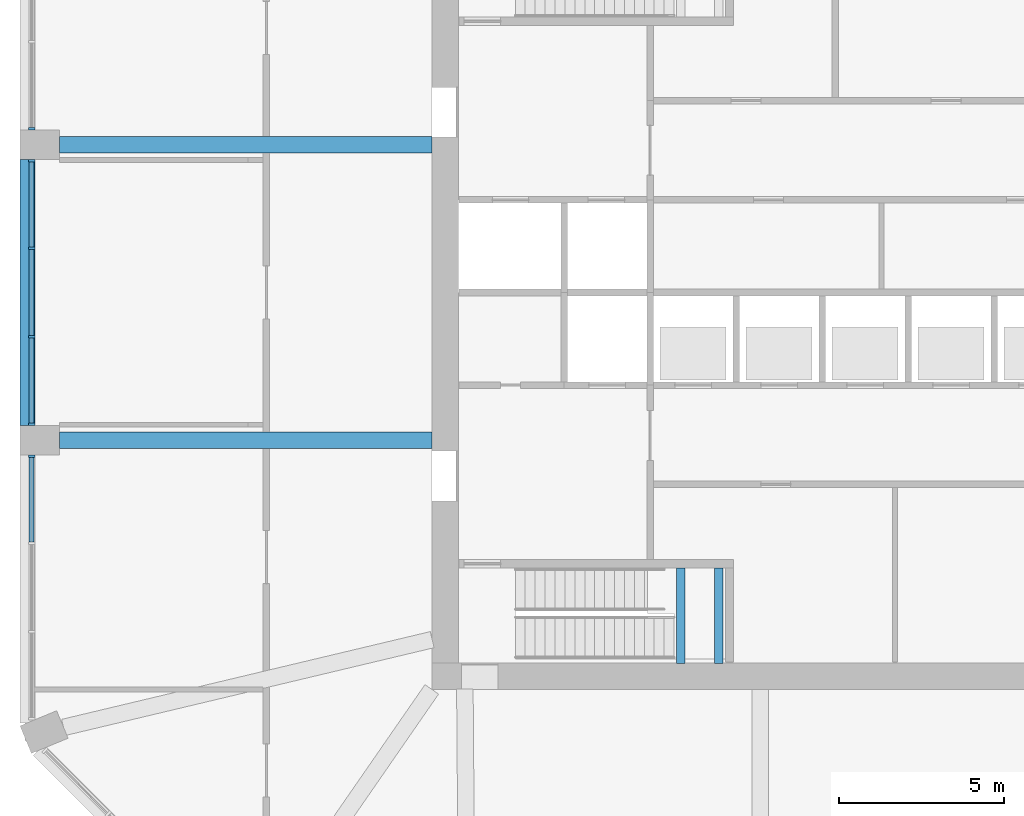
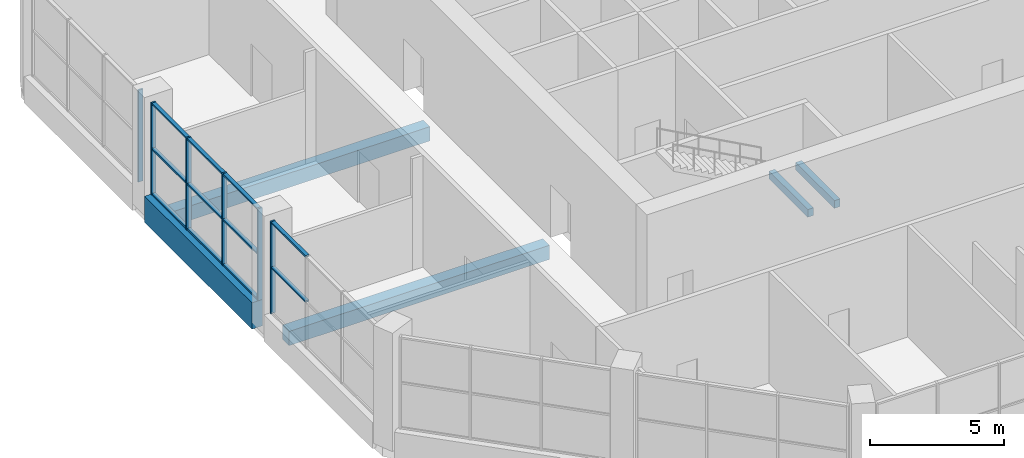
# One storey, part 3 of 16: 17 members, 5 beams, 3 elements without a shape of their own.
"""IFC4 building model written with IfcOpenShell, lengths in metres."""

from ifc_helpers import new_model, si_unit, direction, frame, origin, origin_2d, place, context, subcontext, project, spatial, rectangle, extrude, material, material_profile, profile_set, type_object, element, aggregate, save


model = new_model("IFC4")

# Units and contexts
model_context = context("Model", 3, precision=1e-05, world=origin(), true_north=direction((0.0, 1.0)))
body_context = subcontext(model_context, "Body", "Model", "MODEL_VIEW")
ifc_project = project(units=[si_unit("LENGTHUNIT", "METRE"), si_unit("AREAUNIT", "SQUARE_METRE"), si_unit("VOLUMEUNIT", "CUBIC_METRE"), si_unit("PLANEANGLEUNIT", "RADIAN"), si_unit("MASSUNIT", "GRAM", prefix="KILO")], contexts=[model_context])

# Site, building, storey
site_placement = place(None, origin())
site = spatial("IfcSite", under=ifc_project, at=site_placement, CompositionType="ELEMENT")
building_placement = place(site_placement, origin())
building = spatial("IfcBuilding", under=site, at=building_placement, Name="Msitu Wima Residences", CompositionType="ELEMENT")
storey_placement = place(building_placement, frame((0.0, 0.0, 156.89990234375)))
storey = spatial("IfcBuildingStorey", under=building, at=storey_placement, Name="L36", CompositionType="ELEMENT", Elevation=156.89990234375)

# Beams
ifc_material_1 = material(Name="Concrete C50/60", Category="concrete")
ifc_material_profile_1 = material_profile(ifc_material_1, rectangle(XDim=0.5, YDim=0.64990234375, at=origin_2d()), Name="RC 500x650")
ifc_profile_set_1 = profile_set([ifc_material_profile_1], Name="Concrete C50/60")
beam_type_1 = type_object("IfcBeamType", Name="Beam RC 500x650 Concrete C50/60", PredefinedType="BEAM", material=ifc_profile_set_1)
for number, where, z_axis, x_axis, name in (
    (1, (-25.64990234375, 4.46875, -0.724853515625), (1.0, 0.0, 0.0), (0.0, 1.0, 0.0), "Beam L36 C-W1"),
    (2, (-25.64990234375, -4.46875, -0.724853515625), (1.0, 0.0, 0.0), (0.0, 1.0, 0.0), "Beam L36 C-W2"),
):
    element("IfcBeam", number, at=place(storey_placement, frame(where, z_axis=z_axis, x_axis=x_axis)), inside=storey, type_object=beam_type_1, Name=name, PredefinedType="BEAM", context=body_context, shape_type="SweptSolid", body=[
        extrude(rectangle(XDim=0.5, YDim=0.64990234375, at=origin_2d()), origin(), (0.0, 0.0, 1.0), 11.25),
    ])
ifc_material_2 = material(Name="Concrete C40/50", Category="concrete")
ifc_material_profile_2 = material_profile(ifc_material_2, rectangle(XDim=0.25, YDim=0.35009765625, at=origin_2d()), Name="RC 250x350")
ifc_profile_set_2 = profile_set([ifc_material_profile_2], Name="Concrete C40/50")
beam_type_2 = type_object("IfcBeamType", Name="Landing beam RC 250x350", PredefinedType="BEAM", material=ifc_profile_set_2)
for number, where, z_axis, x_axis, name in (
    (3, (-6.875, -11.22509765625, 2.406982421875), (0.0, 1.0, 0.0), (-1.0, 0.0, 0.0), "Stair 2 landing beam"),
    (4, (-5.72509765625, -11.22509765625, 2.406982421875), (0.0, 1.0, 0.0), (-1.0, 0.0, 0.0), "Stair 2 landing beam"),
):
    element("IfcBeam", number, at=place(storey_placement, frame(where, z_axis=z_axis, x_axis=x_axis)), inside=storey, type_object=beam_type_2, Name=name, PredefinedType="BEAM", context=body_context, shape_type="SweptSolid", body=[
        extrude(rectangle(XDim=0.25, YDim=0.35009765625, at=origin_2d()), origin(), (0.0, 0.0, 1.0), 2.900146484375),
    ])

# Curtain wall, member
ifc_material_3 = material(Name="Anodised aluminium, bronze finish, solar control laminated double glazing", Category="aluminium")
curtain_wall_type = type_object("IfcCurtainWallType", Name="Curtain wall CW2 sky amenity wall", PredefinedType="NOTDEFINED", material=ifc_material_3)
curtain_wall_1_placement = place(storey_placement, origin())
curtain_wall_1 = element("IfcCurtainWall", 5, at=curtain_wall_1_placement, inside=storey, type_object=curtain_wall_type, Name="Curtain wall CW2 L36 W0", PredefinedType="NOTDEFINED")
ifc_material_4 = material(Name="Anodised aluminium, bronze finish", Category="aluminium")
ifc_material_profile_3 = material_profile(ifc_material_4, rectangle(XDim=0.199951171875, YDim=0.074951171875, at=origin_2d()), Name="Mullion 75x200")
ifc_profile_set_3 = profile_set([ifc_material_profile_3], Name="Anodised aluminium, bronze finish")
member_type_1 = type_object("IfcMemberType", Name="Mullion CW2 75x200", PredefinedType="MULLION", material=ifc_profile_set_3)
member_1_placement = place(storey_placement, frame((-26.5, 4.9560546875, 0.900146484375), z_axis=(0.0, 0.0, 1.0), x_axis=(1.0, 0.0, 0.0)))
member_1 = element("IfcMember", 6, at=member_1_placement, type_object=member_type_1, Name="CW2 mullion 4", PredefinedType="MULLION", context=body_context, shape_type="SweptSolid", body=[
    extrude(rectangle(XDim=0.199951171875, YDim=0.074951171875, at=origin_2d()), origin(), (0.0, 0.0, 1.0), 4.199951171875),
])
aggregate(curtain_wall_1, [member_1])

# Curtain wall, members
curtain_wall_2_placement = place(storey_placement, origin())
curtain_wall_2 = element("IfcCurtainWall", 7, at=curtain_wall_2_placement, inside=storey, type_object=curtain_wall_type, Name="Curtain wall CW2 L36 W1", PredefinedType="NOTDEFINED")
member_2_placement = place(storey_placement, frame((-26.5, 3.981201171875, 0.900146484375), z_axis=(0.0, 0.0, 1.0), x_axis=(1.0, 0.0, 0.0)))
member_2 = element("IfcMember", 8, at=member_2_placement, type_object=member_type_1, Name="CW2 mullion 1", PredefinedType="MULLION", context=body_context, shape_type="SweptSolid", body=[
    extrude(rectangle(XDim=0.199951171875, YDim=0.074951171875, at=origin_2d()), origin(), (0.0, 0.0, 1.0), 4.199951171875),
])
member_3_placement = place(storey_placement, frame((-26.5, 1.339599609375, 0.900146484375), z_axis=(0.0, 0.0, 1.0), x_axis=(1.0, 0.0, 0.0)))
member_3 = element("IfcMember", 9, at=member_3_placement, type_object=member_type_1, Name="CW2 mullion 2", PredefinedType="MULLION", context=body_context, shape_type="SweptSolid", body=[
    extrude(rectangle(XDim=0.199951171875, YDim=0.074951171875, at=origin_2d()), origin(), (0.0, 0.0, 1.0), 4.199951171875),
])
member_4_placement = place(storey_placement, frame((-26.5, -1.339599609375, 0.900146484375), z_axis=(0.0, 0.0, 1.0), x_axis=(1.0, 0.0, 0.0)))
member_4 = element("IfcMember", 10, at=member_4_placement, type_object=member_type_1, Name="CW2 mullion 3", PredefinedType="MULLION", context=body_context, shape_type="SweptSolid", body=[
    extrude(rectangle(XDim=0.199951171875, YDim=0.074951171875, at=origin_2d()), origin(), (0.0, 0.0, 1.0), 4.199951171875),
])
member_5_placement = place(storey_placement, frame((-26.5, -3.981201171875, 0.900146484375), z_axis=(0.0, 0.0, 1.0), x_axis=(1.0, 0.0, 0.0)))
member_5 = element("IfcMember", 11, at=member_5_placement, type_object=member_type_1, Name="CW2 mullion 4", PredefinedType="MULLION", context=body_context, shape_type="SweptSolid", body=[
    extrude(rectangle(XDim=0.199951171875, YDim=0.074951171875, at=origin_2d()), origin(), (0.0, 0.0, 1.0), 4.199951171875),
])

# Curtain wall, member
curtain_wall_3_placement = place(storey_placement, origin())
curtain_wall_3 = element("IfcCurtainWall", 12, at=curtain_wall_3_placement, inside=storey, type_object=curtain_wall_type, Name="Curtain wall CW2 L36 W2", PredefinedType="NOTDEFINED")
member_6_placement = place(storey_placement, frame((-26.5, -4.9560546875, 0.900146484375), z_axis=(0.0, 0.0, 1.0), x_axis=(1.0, 0.0, 0.0)))
member_6 = element("IfcMember", 13, at=member_6_placement, type_object=member_type_1, Name="CW2 mullion 1", PredefinedType="MULLION", context=body_context, shape_type="SweptSolid", body=[
    extrude(rectangle(XDim=0.199951171875, YDim=0.074951171875, at=origin_2d()), origin(), (0.0, 0.0, 1.0), 4.199951171875),
])

# Beam
ifc_material_profile_4 = material_profile(ifc_material_1, rectangle(XDim=0.449951171875, YDim=1.199951171875, at=origin_2d()), Name="RC 450x1200")
ifc_profile_set_4 = profile_set([ifc_material_profile_4], Name="Concrete C50/60")
beam_type_3 = type_object("IfcBeamType", Name="Spandrel RC 450x1200 Concrete C50/60", PredefinedType="SPANDREL", material=ifc_profile_set_4)
beam_placement = place(storey_placement, frame((-26.625, 4.0185546875, 0.300048828125), z_axis=(0.0, -1.0, 0.0), x_axis=(1.0, 0.0, 0.0)))
element("IfcBeam", 14, at=beam_placement, inside=storey, type_object=beam_type_3, Name="Spandrel L36 W1", PredefinedType="SPANDREL", context=body_context, shape_type="SweptSolid", body=[
    extrude(rectangle(XDim=0.449951171875, YDim=1.199951171875, at=origin_2d()), origin(), (0.0, 0.0, 1.0), 8.037109375),
])

# Member
ifc_material_profile_5 = material_profile(ifc_material_4, rectangle(XDim=0.159912109375, YDim=0.074951171875, at=origin_2d()), Name="Transom 75x160")
ifc_profile_set_5 = profile_set([ifc_material_profile_5], Name="Anodised aluminium, bronze finish")
member_type_2 = type_object("IfcMemberType", Name="Transom CW2 75x160", PredefinedType="USERDEFINED", material=ifc_profile_set_5)
member_7_placement = place(storey_placement, frame((-26.5, 3.943603515625, 0.9375), z_axis=(0.0, -1.0, 0.0), x_axis=(1.0, 0.0, 0.0)))
member_7 = element("IfcMember", 15, at=member_7_placement, type_object=member_type_2, Name="CW2 transom 1.1", ObjectType="TRANSOM", PredefinedType="USERDEFINED", context=body_context, shape_type="SweptSolid", body=[
    extrude(rectangle(XDim=0.159912109375, YDim=0.074951171875, at=origin_2d()), origin(), (0.0, 0.0, 1.0), 2.566650390625),
])

member_8_placement = place(storey_placement, frame((-26.5, 3.943603515625, 3.0), z_axis=(0.0, -1.0, 0.0), x_axis=(1.0, 0.0, 0.0)))
member_8 = element("IfcMember", 16, at=member_8_placement, type_object=member_type_2, Name="CW2 transom 1.2", ObjectType="TRANSOM", PredefinedType="USERDEFINED", context=body_context, shape_type="SweptSolid", body=[
    extrude(rectangle(XDim=0.159912109375, YDim=0.074951171875, at=origin_2d()), origin(), (0.0, 0.0, 1.0), 2.566650390625),
])

member_9_placement = place(storey_placement, frame((-26.5, 3.943603515625, 5.0625), z_axis=(0.0, -1.0, 0.0), x_axis=(1.0, 0.0, 0.0)))
member_9 = element("IfcMember", 17, at=member_9_placement, type_object=member_type_2, Name="CW2 transom 1.3", ObjectType="TRANSOM", PredefinedType="USERDEFINED", context=body_context, shape_type="SweptSolid", body=[
    extrude(rectangle(XDim=0.159912109375, YDim=0.074951171875, at=origin_2d()), origin(), (0.0, 0.0, 1.0), 2.566650390625),
])

member_10_placement = place(storey_placement, frame((-26.5, 1.302001953125, 0.9375), z_axis=(0.0, -1.0, 0.0), x_axis=(1.0, 0.0, 0.0)))
member_10 = element("IfcMember", 18, at=member_10_placement, type_object=member_type_2, Name="CW2 transom 2.1", ObjectType="TRANSOM", PredefinedType="USERDEFINED", context=body_context, shape_type="SweptSolid", body=[
    extrude(rectangle(XDim=0.159912109375, YDim=0.074951171875, at=origin_2d()), origin(), (0.0, 0.0, 1.0), 2.60400390625),
])

member_11_placement = place(storey_placement, frame((-26.5, 1.302001953125, 3.0), z_axis=(0.0, -1.0, 0.0), x_axis=(1.0, 0.0, 0.0)))
member_11 = element("IfcMember", 19, at=member_11_placement, type_object=member_type_2, Name="CW2 transom 2.2", ObjectType="TRANSOM", PredefinedType="USERDEFINED", context=body_context, shape_type="SweptSolid", body=[
    extrude(rectangle(XDim=0.159912109375, YDim=0.074951171875, at=origin_2d()), origin(), (0.0, 0.0, 1.0), 2.60400390625),
])

member_12_placement = place(storey_placement, frame((-26.5, 1.302001953125, 5.0625), z_axis=(0.0, -1.0, 0.0), x_axis=(1.0, 0.0, 0.0)))
member_12 = element("IfcMember", 20, at=member_12_placement, type_object=member_type_2, Name="CW2 transom 2.3", ObjectType="TRANSOM", PredefinedType="USERDEFINED", context=body_context, shape_type="SweptSolid", body=[
    extrude(rectangle(XDim=0.159912109375, YDim=0.074951171875, at=origin_2d()), origin(), (0.0, 0.0, 1.0), 2.60400390625),
])

member_13_placement = place(storey_placement, frame((-26.5, -1.376953125, 0.9375), z_axis=(0.0, -1.0, 0.0), x_axis=(1.0, 0.0, 0.0)))
member_13 = element("IfcMember", 21, at=member_13_placement, type_object=member_type_2, Name="CW2 transom 3.1", ObjectType="TRANSOM", PredefinedType="USERDEFINED", context=body_context, shape_type="SweptSolid", body=[
    extrude(rectangle(XDim=0.159912109375, YDim=0.074951171875, at=origin_2d()), origin(), (0.0, 0.0, 1.0), 2.566650390625),
])

member_14_placement = place(storey_placement, frame((-26.5, -1.376953125, 3.0), z_axis=(0.0, -1.0, 0.0), x_axis=(1.0, 0.0, 0.0)))
member_14 = element("IfcMember", 22, at=member_14_placement, type_object=member_type_2, Name="CW2 transom 3.2", ObjectType="TRANSOM", PredefinedType="USERDEFINED", context=body_context, shape_type="SweptSolid", body=[
    extrude(rectangle(XDim=0.159912109375, YDim=0.074951171875, at=origin_2d()), origin(), (0.0, 0.0, 1.0), 2.566650390625),
])

member_15_placement = place(storey_placement, frame((-26.5, -1.376953125, 5.0625), z_axis=(0.0, -1.0, 0.0), x_axis=(1.0, 0.0, 0.0)))
member_15 = element("IfcMember", 23, at=member_15_placement, type_object=member_type_2, Name="CW2 transom 3.3", ObjectType="TRANSOM", PredefinedType="USERDEFINED", context=body_context, shape_type="SweptSolid", body=[
    extrude(rectangle(XDim=0.159912109375, YDim=0.074951171875, at=origin_2d()), origin(), (0.0, 0.0, 1.0), 2.566650390625),
])

aggregate(curtain_wall_2, [member_2, member_3, member_4, member_5, member_7, member_8, member_9, member_10, member_11, member_12, member_13, member_14, member_15])

member_16_placement = place(storey_placement, frame((-26.5, -4.99365234375, 3.0), z_axis=(0.0, -1.0, 0.0), x_axis=(1.0, 0.0, 0.0)))
member_16 = element("IfcMember", 24, at=member_16_placement, type_object=member_type_2, Name="CW2 transom 1.2", ObjectType="TRANSOM", PredefinedType="USERDEFINED", context=body_context, shape_type="SweptSolid", body=[
    extrude(rectangle(XDim=0.159912109375, YDim=0.074951171875, at=origin_2d()), origin(), (0.0, 0.0, 1.0), 2.55419921875),
])

member_17_placement = place(storey_placement, frame((-26.5, -4.99365234375, 5.0625), z_axis=(0.0, -1.0, 0.0), x_axis=(1.0, 0.0, 0.0)))
member_17 = element("IfcMember", 25, at=member_17_placement, type_object=member_type_2, Name="CW2 transom 1.3", ObjectType="TRANSOM", PredefinedType="USERDEFINED", context=body_context, shape_type="SweptSolid", body=[
    extrude(rectangle(XDim=0.159912109375, YDim=0.074951171875, at=origin_2d()), origin(), (0.0, 0.0, 1.0), 2.55419921875),
])

aggregate(curtain_wall_3, [member_6, member_16, member_17])

save(model, "model.ifc")
